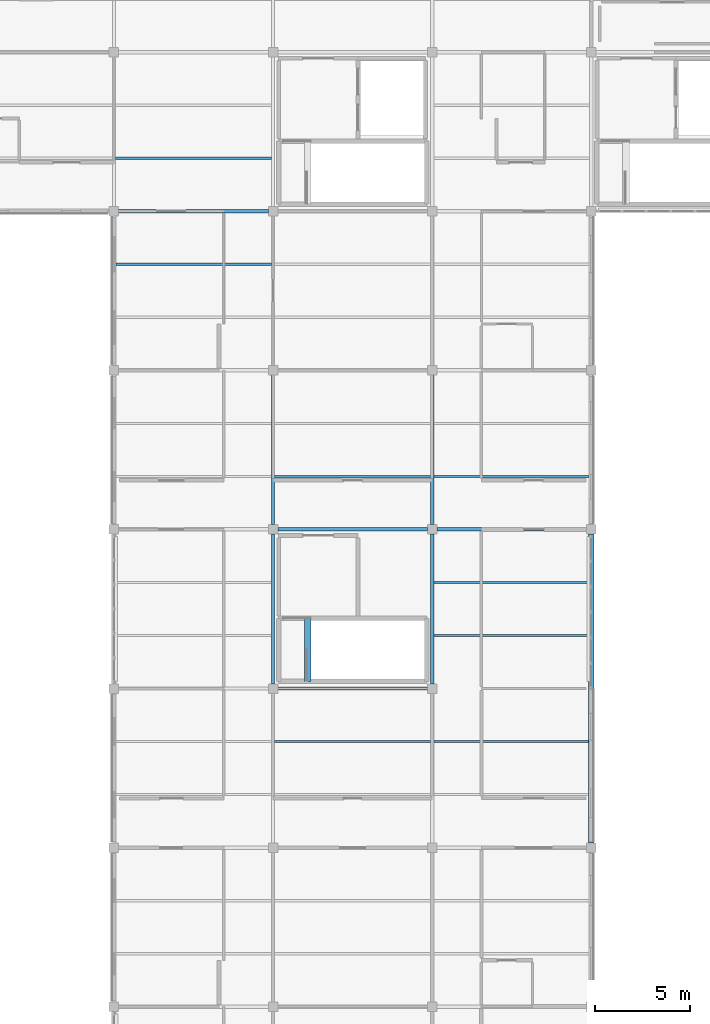
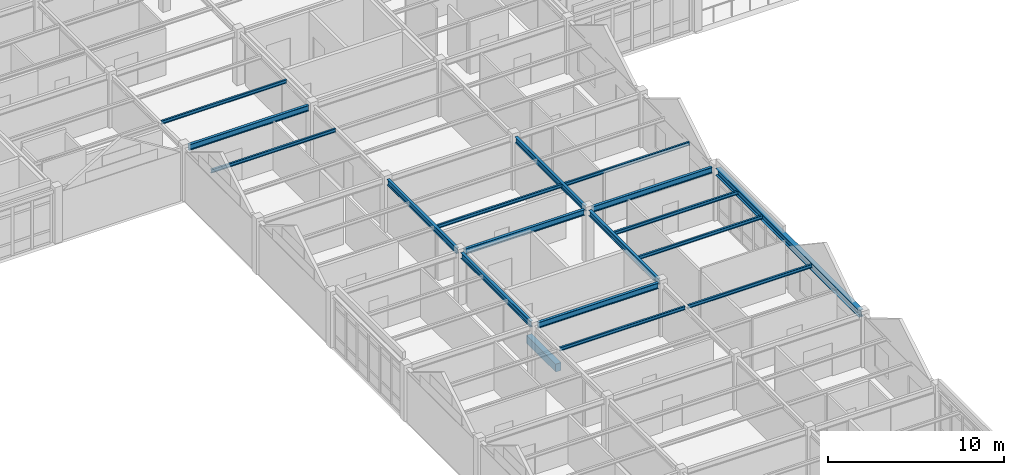
# One storey, part 15 of 45: 18 beams.
"""IFC4 building model written with IfcOpenShell, lengths in metres."""

from ifc_helpers import new_model, si_unit, direction, frame, origin, origin_2d, place, context, subcontext, project, spatial, rectangle, i_section, extrude, material, material_profile, profile_set, type_object, element, save


model = new_model("IFC4")

# Units and contexts
model_context = context("Model", 3, precision=1e-05, world=origin(), true_north=direction((0.0, 1.0)))
body_context = subcontext(model_context, "Body", "Model", "MODEL_VIEW")
ifc_project = project(units=[si_unit("LENGTHUNIT", "METRE"), si_unit("AREAUNIT", "SQUARE_METRE"), si_unit("VOLUMEUNIT", "CUBIC_METRE"), si_unit("PLANEANGLEUNIT", "RADIAN"), si_unit("MASSUNIT", "GRAM", prefix="KILO")], contexts=[model_context])

# Site, building, storey
site_placement = place(None, origin())
site = spatial("IfcSite", under=ifc_project, at=site_placement, CompositionType="ELEMENT")
building_placement = place(site_placement, origin())
building = spatial("IfcBuilding", under=site, at=building_placement, Name="Bramfleet General Hospital", CompositionType="ELEMENT")
storey_placement = place(building_placement, frame((0.0, 0.0, 30.300048828125)))
storey = spatial("IfcBuildingStorey", under=building, at=storey_placement, Name="L07", CompositionType="ELEMENT", Elevation=30.300048828125)

# Beams
ifc_material_1 = material(Name="Steel S355", Category="steel")
ifc_material_profile_1 = material_profile(ifc_material_1, i_section(OverallWidth=0.300048828125, OverallDepth=0.5, WebThickness=0.014404296875, FlangeThickness=0.028076171875, FilletRadius=0.027099609375, at=origin_2d()), Name="HEB 500")
ifc_profile_set_1 = profile_set([ifc_material_profile_1], Name="Steel S355")
beam_type_1 = type_object("IfcBeamType", Name="BM-HEB500", PredefinedType="BEAM", material=ifc_profile_set_1)
beam_1_placement = place(storey_placement, frame((117.60009765625, 59.050048828125, 3.409912109375), z_axis=(0.0, 1.0, 0.0), x_axis=(-1.0, 0.0, 0.0)))
element("IfcBeam", 1, at=beam_1_placement, inside=storey, type_object=beam_type_1, Name="L07 Long-Span Edge Girder Y 14-07..09", PredefinedType="BEAM", context=body_context, shape_type="SweptSolid", body=[
    extrude(i_section(OverallWidth=0.300048828125, OverallDepth=0.5, WebThickness=0.014404296875, FlangeThickness=0.028076171875, FilletRadius=0.027099609375, at=origin_2d()), origin(), (0.0, 0.0, 1.0), 16.300048828125),
])
ifc_material_profile_2 = material_profile(ifc_material_1, i_section(OverallWidth=0.1201171875, OverallDepth=0.239990234375, WebThickness=0.006103515625, FlangeThickness=0.009765625, FilletRadius=0.014892578125, at=origin_2d()), Name="IPE 240")
ifc_profile_set_2 = profile_set([ifc_material_profile_2], Name="Steel S355")
beam_type_2 = type_object("IfcBeamType", Name="BM-IPE240", PredefinedType="JOIST", material=ifc_profile_set_2)
beam_2_placement = place(storey_placement, frame((92.52001953125, 89.60009765625, 3.5400390625), z_axis=(1.0, 0.0, 0.0), x_axis=(0.0, 1.0, 0.0)))
element("IfcBeam", 2, at=beam_2_placement, inside=storey, type_object=beam_type_2, Name="L07 Secondary Joist 11-10-2", PredefinedType="JOIST", context=body_context, shape_type="SweptSolid", body=[
    extrude(i_section(OverallWidth=0.1201171875, OverallDepth=0.239990234375, WebThickness=0.006103515625, FlangeThickness=0.009765625, FilletRadius=0.014892578125, at=origin_2d()), origin(), (0.0, 0.0, 1.0), 8.18994140625),
])
beam_3_placement = place(storey_placement, frame((92.489990234375, 95.199951171875, 3.5400390625), z_axis=(1.0, 0.0, 0.0), x_axis=(0.0, 1.0, 0.0)))
element("IfcBeam", 3, at=beam_3_placement, inside=storey, type_object=beam_type_2, Name="L07 Secondary Joist 11-11-1", PredefinedType="JOIST", context=body_context, shape_type="SweptSolid", body=[
    extrude(i_section(OverallWidth=0.1201171875, OverallDepth=0.239990234375, WebThickness=0.006103515625, FlangeThickness=0.009765625, FilletRadius=0.014892578125, at=origin_2d()), origin(), (0.0, 0.0, 1.0), 8.219970703125),
])
for number, where, z_axis, x_axis, name in (
    (4, (100.889892578125, 64.39990234375, 3.5400390625), (1.0, 0.0, 0.0), (0.0, 1.0, 0.0), "L07 Secondary Joist 12-07-2"),
    (5, (100.889892578125, 78.39990234375, 3.5400390625), (1.0, 0.0, 0.0), (0.0, 1.0, 0.0), "L07 Secondary Joist 12-09-1"),
):
    element("IfcBeam", number, at=place(storey_placement, frame(where, z_axis=z_axis, x_axis=x_axis)), inside=storey, type_object=beam_type_2, Name=name, PredefinedType="JOIST", context=body_context, shape_type="SweptSolid", body=[
        extrude(i_section(OverallWidth=0.1201171875, OverallDepth=0.239990234375, WebThickness=0.006103515625, FlangeThickness=0.009765625, FilletRadius=0.014892578125, at=origin_2d()), origin(), (0.0, 0.0, 1.0), 8.22021484375),
    ])
for number, where, z_axis, x_axis, name in (
    (6, (109.2900390625, 64.39990234375, 3.5400390625), (1.0, 0.0, 0.0), (0.0, 1.0, 0.0), "L07 Secondary Joist 13-07-2"),
    (7, (109.2900390625, 70.0, 3.5400390625), (1.0, 0.0, 0.0), (0.0, 1.0, 0.0), "L07 Secondary Joist 13-08-1"),
    (8, (109.2900390625, 72.800048828125, 3.5400390625), (1.0, 0.0, 0.0), (0.0, 1.0, 0.0), "L07 Secondary Joist 13-08-2"),
):
    element("IfcBeam", number, at=place(storey_placement, frame(where, z_axis=z_axis, x_axis=x_axis)), inside=storey, type_object=beam_type_2, Name=name, PredefinedType="JOIST", context=body_context, shape_type="SweptSolid", body=[
        extrude(i_section(OverallWidth=0.1201171875, OverallDepth=0.239990234375, WebThickness=0.006103515625, FlangeThickness=0.009765625, FilletRadius=0.014892578125, at=origin_2d()), origin(), (0.0, 0.0, 1.0), 8.159912109375),
    ])
beam_4_placement = place(storey_placement, frame((109.2900390625, 78.39990234375, 3.5400390625), z_axis=(1.0, 0.0, 0.0), x_axis=(0.0, 1.0, 0.0)))
element("IfcBeam", 9, at=beam_4_placement, inside=storey, type_object=beam_type_2, Name="L07 Secondary Joist 13-09-1", PredefinedType="JOIST", context=body_context, shape_type="SweptSolid", body=[
    extrude(i_section(OverallWidth=0.1201171875, OverallDepth=0.239990234375, WebThickness=0.006103515625, FlangeThickness=0.009765625, FilletRadius=0.014892578125, at=origin_2d()), origin(), (0.0, 0.0, 1.0), 8.18994140625),
])
ifc_material_profile_3 = material_profile(ifc_material_1, i_section(OverallWidth=0.179931640625, OverallDepth=0.39990234375, WebThickness=0.008544921875, FlangeThickness=0.013427734375, FilletRadius=0.02099609375, at=origin_2d()), Name="IPE 400")
ifc_profile_set_3 = profile_set([ifc_material_profile_3], Name="Steel S355")
beam_type_3 = type_object("IfcBeamType", Name="BM-IPE400", PredefinedType="BEAM", material=ifc_profile_set_3)
beam_5_placement = place(storey_placement, frame((92.64990234375, 92.39990234375, 3.4599609375), z_axis=(1.0, 0.0, 0.0), x_axis=(0.0, 1.0, 0.0)))
element("IfcBeam", 10, at=beam_5_placement, inside=storey, type_object=beam_type_3, Name="L07 Grid Beam X 11-11", PredefinedType="BEAM", context=body_context, shape_type="SweptSolid", body=[
    extrude(i_section(OverallWidth=0.179931640625, OverallDepth=0.39990234375, WebThickness=0.008544921875, FlangeThickness=0.013427734375, FilletRadius=0.02099609375, at=origin_2d()), origin(), (0.0, 0.0, 1.0), 7.900146484375),
])
for number, where, z_axis, x_axis, name in (
    (11, (101.050048828125, 67.199951171875, 3.4599609375), (1.0, 0.0, 0.0), (0.0, 1.0, 0.0), "L07 Grid Beam X 12-08"),
    (12, (101.050048828125, 75.60009765625, 3.4599609375), (1.0, 0.0, 0.0), (0.0, 1.0, 0.0), "L07 Grid Beam X 12-09"),
):
    element("IfcBeam", number, at=place(storey_placement, frame(where, z_axis=z_axis, x_axis=x_axis)), inside=storey, type_object=beam_type_3, Name=name, PredefinedType="BEAM", context=body_context, shape_type="SweptSolid", body=[
        extrude(i_section(OverallWidth=0.179931640625, OverallDepth=0.39990234375, WebThickness=0.008544921875, FlangeThickness=0.013427734375, FilletRadius=0.02099609375, at=origin_2d()), origin(), (0.0, 0.0, 1.0), 7.89990234375),
    ])
for number, where, z_axis, x_axis, name in (
    (13, (109.449951171875, 75.60009765625, 3.4599609375), (1.0, 0.0, 0.0), (0.0, 1.0, 0.0), "L07 Grid Beam X 13-09"),
    (14, (100.800048828125, 67.449951171875, 3.4599609375), (0.0, 1.0, 0.0), (-1.0, 0.0, 0.0), "L07 Grid Beam Y 12-08"),
):
    element("IfcBeam", number, at=place(storey_placement, frame(where, z_axis=z_axis, x_axis=x_axis)), inside=storey, type_object=beam_type_3, Name=name, PredefinedType="BEAM", context=body_context, shape_type="SweptSolid", body=[
        extrude(i_section(OverallWidth=0.179931640625, OverallDepth=0.39990234375, WebThickness=0.008544921875, FlangeThickness=0.013427734375, FilletRadius=0.02099609375, at=origin_2d()), origin(), (0.0, 0.0, 1.0), 7.900146484375),
    ])
beam_6_placement = place(storey_placement, frame((100.800048828125, 75.85009765625, 3.4599609375), z_axis=(0.0, 1.0, 0.0), x_axis=(-1.0, 0.0, 0.0)))
element("IfcBeam", 15, at=beam_6_placement, inside=storey, type_object=beam_type_3, Name="L07 Grid Beam Y 12-09", PredefinedType="BEAM", context=body_context, shape_type="SweptSolid", body=[
    extrude(i_section(OverallWidth=0.179931640625, OverallDepth=0.39990234375, WebThickness=0.008544921875, FlangeThickness=0.013427734375, FilletRadius=0.02099609375, at=origin_2d()), origin(), (0.0, 0.0, 1.0), 7.89990234375),
])
beam_7_placement = place(storey_placement, frame((109.199951171875, 67.449951171875, 3.4599609375), z_axis=(0.0, 1.0, 0.0), x_axis=(-1.0, 0.0, 0.0)))
element("IfcBeam", 16, at=beam_7_placement, inside=storey, type_object=beam_type_3, Name="L07 Grid Beam Y 13-08", PredefinedType="BEAM", context=body_context, shape_type="SweptSolid", body=[
    extrude(i_section(OverallWidth=0.179931640625, OverallDepth=0.39990234375, WebThickness=0.008544921875, FlangeThickness=0.013427734375, FilletRadius=0.02099609375, at=origin_2d()), origin(), (0.0, 0.0, 1.0), 7.900146484375),
])
beam_8_placement = place(storey_placement, frame((109.199951171875, 75.85009765625, 3.4599609375), z_axis=(0.0, 1.0, 0.0), x_axis=(-1.0, 0.0, 0.0)))
element("IfcBeam", 17, at=beam_8_placement, inside=storey, type_object=beam_type_3, Name="L07 Grid Beam Y 13-09", PredefinedType="BEAM", context=body_context, shape_type="SweptSolid", body=[
    extrude(i_section(OverallWidth=0.179931640625, OverallDepth=0.39990234375, WebThickness=0.008544921875, FlangeThickness=0.013427734375, FilletRadius=0.02099609375, at=origin_2d()), origin(), (0.0, 0.0, 1.0), 7.89990234375),
])
ifc_material_2 = material(Name="Concrete C35/45", Category="concrete")
ifc_material_profile_4 = material_profile(ifc_material_2, rectangle(XDim=0.35009765625, YDim=0.550048828125, at=origin_2d()), Name="RC BM 550x350")
ifc_profile_set_4 = profile_set([ifc_material_profile_4], Name="Concrete C35/45")
beam_type_4 = type_object("IfcBeamType", Name="BM-RC550", PredefinedType="BEAM", material=ifc_profile_set_4)
beam_9_placement = place(storey_placement, frame((102.639892578125, 67.580078125, -0.275146484375), z_axis=(0.0, 1.0, 0.0), x_axis=(-1.0, 0.0, 0.0)))
element("IfcBeam", 18, at=beam_9_placement, inside=storey, type_object=beam_type_4, Name="L07 C11 Stairwell Trimmer Beam", PredefinedType="BEAM", context=body_context, shape_type="SweptSolid", body=[
    extrude(rectangle(XDim=0.35009765625, YDim=0.550048828125, at=origin_2d()), origin(), (0.0, 0.0, 1.0), 3.31982421875),
])

save(model, "model.ifc")
